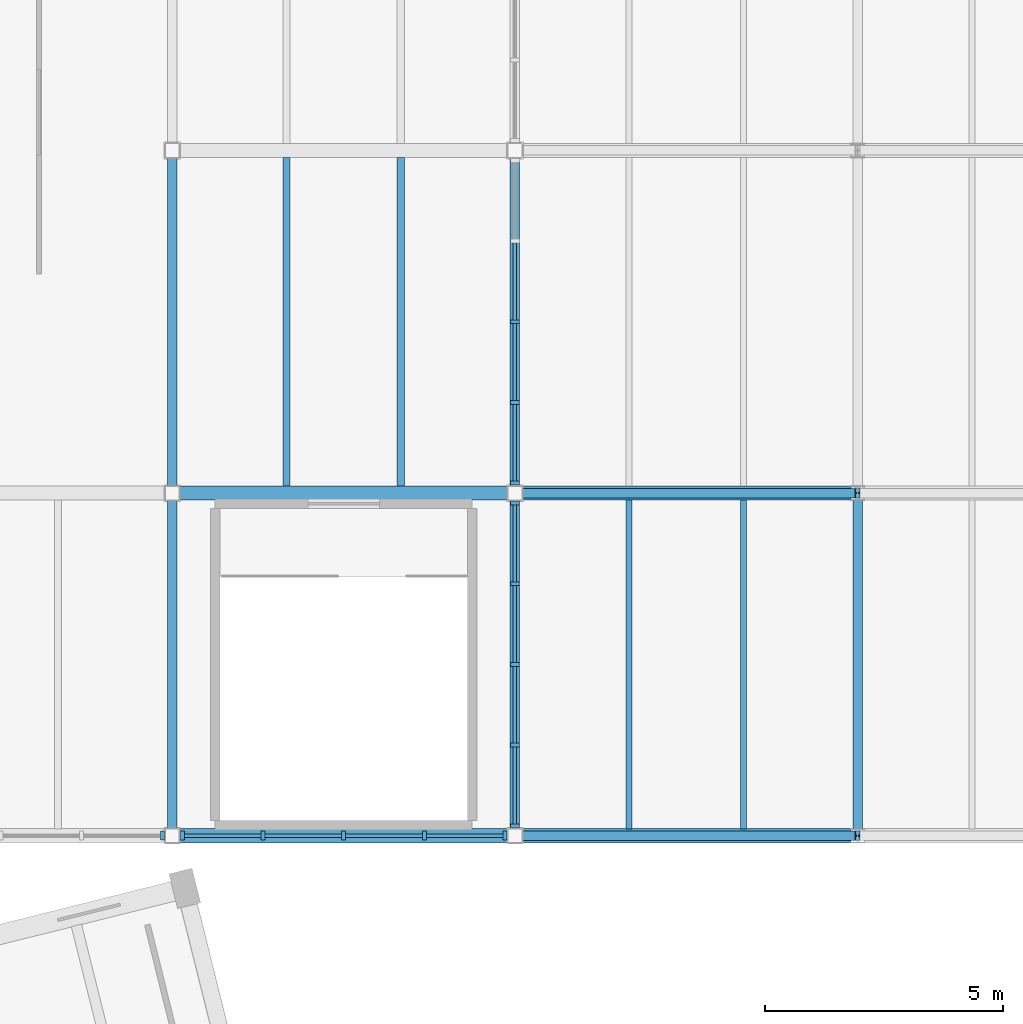
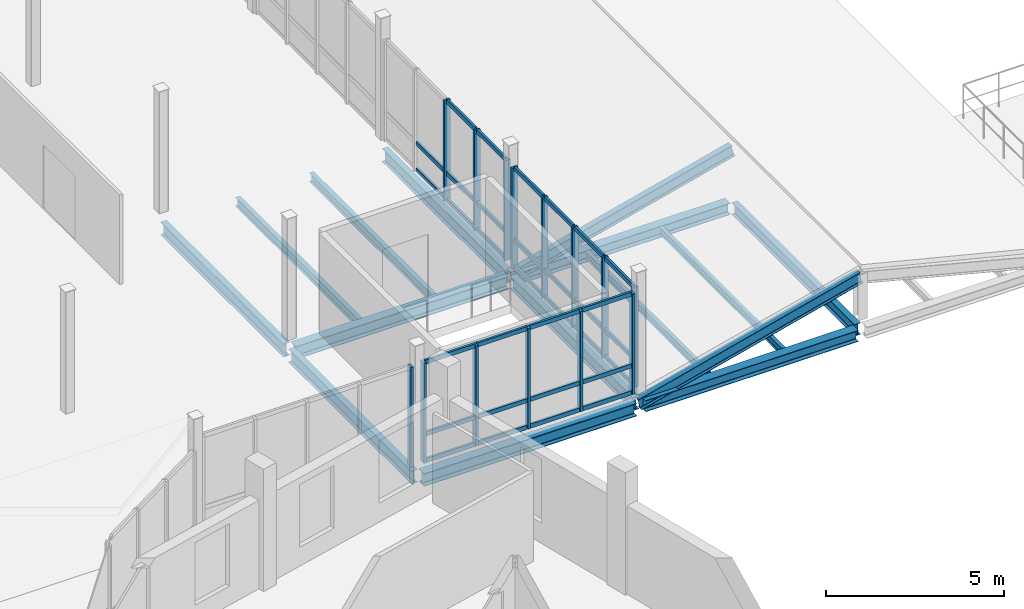
# One storey, part 25 of 63: 48 members, 13 beams, 4 elements without a shape of their own.
"""IFC4 building model written with IfcOpenShell, lengths in metres."""

import ifcopenshell
import ifcopenshell.guid

model = None  # the IFC model being written
_history = None  # IfcOwnerHistory: only IFC2X3 demands one
_inside = {}  # id of a spatial element -> (the spatial element, [elements in it])
_under = {}  # id of a project, library or spatial element -> (it, [spatial elements below it])
_declared = {}  # id of a project -> (the project, [libraries it declares])
_typed = {}  # id of a type object -> (the type object, [elements of that type])
_made_of = {}  # id of a material, layer set ... -> (it, [elements and type objects made of it])


def new_model(schema):
    """Start an empty IFC model of exactly this schema.

    Asked for "IFC4X3", IfcOpenShell would pick the latest addendum, in which some entities
    have other attributes; the version numbers below select the first issue.
    IFC2X3 requires an IfcOwnerHistory on every rooted entity: one is made here for all.
    """
    global model, _history
    if schema == "IFC4X3":
        model = ifcopenshell.file(schema_version=(4, 3, 0, 0))
    else:
        model = ifcopenshell.file(schema=schema)
    _inside.clear()
    _under.clear()
    _declared.clear()
    _typed.clear()
    _made_of.clear()
    _history = None
    if model.schema == "IFC2X3":
        org = make("IfcOrganization", Name="unknown")
        user = make(
            "IfcPersonAndOrganization",
            ThePerson=make("IfcPerson", FamilyName="unknown"),
            TheOrganization=org,
        )
        app = make(
            "IfcApplication",
            ApplicationDeveloper=org,
            Version="unknown",
            ApplicationFullName="unknown",
            ApplicationIdentifier="unknown",
        )
        _history = make(
            "IfcOwnerHistory",
            OwningUser=user,
            OwningApplication=app,
            ChangeAction="ADDED",
            CreationDate=0,
        )
    return model


def make(cls, **values):
    """One entity of the class cls with the attributes given. An attribute that is None is left unset."""
    return model.create_entity(
        cls, **{name: value for name, value in values.items() if value is not None}
    )


def rooted(cls, **values):
    """An entity with a GlobalId (a new one), such as an element, a storey or a relation."""
    return make(cls, GlobalId=ifcopenshell.guid.new(), OwnerHistory=_history, **values)


def si_unit(unit_type, name, prefix=None):
    """IfcSIUnit, for example si_unit("LENGTHUNIT", "METRE", prefix="MILLI")."""
    return make("IfcSIUnit", UnitType=unit_type, Prefix=prefix, Name=name)


def assignment(units):
    """IfcUnitAssignment: the units of a project."""
    return None if units is None else make("IfcUnitAssignment", Units=units)


def point(xyz):
    """IfcCartesianPoint."""
    return None if xyz is None else make("IfcCartesianPoint", Coordinates=xyz)


def direction(xyz):
    """IfcDirection."""
    return None if xyz is None else make("IfcDirection", DirectionRatios=xyz)


def frame(location, z_axis=None, x_axis=None):
    """IfcAxis2Placement3D, a coordinate frame: its origin and axes. An axis left out is left unset."""
    return make(
        "IfcAxis2Placement3D",
        Location=point(location),
        Axis=direction(z_axis),
        RefDirection=direction(x_axis),
    )


def frame_2d(location, x_axis=None):
    """IfcAxis2Placement2D, a coordinate frame in the plane: its origin and x axis."""
    return make(
        "IfcAxis2Placement2D", Location=point(location), RefDirection=direction(x_axis)
    )


def origin():
    """The frame at (0, 0, 0) with its axes left unset."""
    return frame((0.0, 0.0, 0.0))


def origin_2d():
    """The frame at (0, 0) in the plane with its x axis left unset."""
    return frame_2d((0.0, 0.0))


def place(relative_to, where):
    """IfcLocalPlacement: puts the frame where relative to a parent placement (None: the world)."""
    return make(
        "IfcLocalPlacement", PlacementRelTo=relative_to, RelativePlacement=where
    )


def context(
    kind, dimensions, precision=None, world=None, true_north=None, identifier=None
):
    """IfcGeometricRepresentationContext, for example the 3D "Model" context."""
    return make(
        "IfcGeometricRepresentationContext",
        ContextIdentifier=identifier,
        ContextType=kind,
        CoordinateSpaceDimension=dimensions,
        Precision=precision,
        WorldCoordinateSystem=world,
        TrueNorth=true_north,
    )


def subcontext(parent, identifier, kind, view, scale=None):
    """IfcGeometricRepresentationSubContext, for example "Body" below "Model"."""
    return make(
        "IfcGeometricRepresentationSubContext",
        ContextIdentifier=identifier,
        ContextType=kind,
        ParentContext=parent,
        TargetScale=scale,
        TargetView=view,
    )


def project(units=None, contexts=None):
    """IfcProject with its units and contexts."""
    return rooted(
        "IfcProject",
        Name="project",
        RepresentationContexts=contexts,
        UnitsInContext=assignment(units),
    )


def spatial(cls, under=None, at=None, **own):
    """A site, building, storey or space (cls), placed at a placement, below another one or the project."""
    s = rooted(cls, ObjectPlacement=at, **own)
    if under is not None:
        _under.setdefault(under.id(), (under, []))[1].append(s)
    return s


def profile(cls, at=None, kind="AREA", **sizes):
    """A parametric profile (cls). Its sizes go by their IFC names, for example OverallWidth=200.0."""
    return make(cls, ProfileType=kind, Position=at, **sizes)


def rectangle(**sizes):
    """IfcRectangleProfileDef."""
    return profile("IfcRectangleProfileDef", **sizes)


def i_section(**sizes):
    """IfcIShapeProfileDef."""
    return profile("IfcIShapeProfileDef", **sizes)


def extrude(swept, where, along, depth):
    """IfcExtrudedAreaSolid: the profile swept, set in the frame where, extruded along a direction by depth."""
    return make(
        "IfcExtrudedAreaSolid",
        SweptArea=swept,
        Position=where,
        ExtrudedDirection=direction(along),
        Depth=depth,
    )


def shape(context_of_items, identifier, shape_type, items):
    """IfcShapeRepresentation: the items that make up one representation, for example the "Body"."""
    return make(
        "IfcShapeRepresentation",
        ContextOfItems=context_of_items,
        RepresentationIdentifier=identifier,
        RepresentationType=shape_type,
        Items=items,
    )


def material(Name=None, Category=None):
    """IfcMaterial."""
    return make("IfcMaterial", Name=Name, Category=Category)


def material_profile(
    of_material, cross_section, Name=None, Category=None, Priority=None
):
    """IfcMaterialProfile: a cross section and its material."""
    return make(
        "IfcMaterialProfile",
        Name=Name,
        Material=of_material,
        Profile=cross_section,
        Priority=Priority,
        Category=Category,
    )


def profile_set(profiles, Name=None, composite=None):
    """IfcMaterialProfileSet."""
    return make(
        "IfcMaterialProfileSet",
        Name=Name,
        MaterialProfiles=profiles,
        CompositeProfile=composite,
    )


def made_of(thing, what):
    """Note that an element or type object is made of a material, layer set ...; save() writes the relation."""
    if what is not None:
        _made_of.setdefault(what.id(), (what, []))[1].append(thing)
    return thing


def type_object(cls, material=None, **own):
    """A type object (cls), such as IfcWallType, which elements share."""
    return made_of(rooted(cls, **own), material)


def element(
    cls,
    number,
    at=None,
    inside=None,
    cuts=None,
    type_object=None,
    material=None,
    context=None,
    identifier="Body",
    shape_type=None,
    held_by="IfcProductDefinitionShape",
    body=None,
    shapes=None,
    **own,
):
    """One element of the class cls, such as IfcWall. Its Tag is "e" and its number.

    at: its placement. inside: the storey or other place that contains it. cuts: it is an
    opening in that element (IfcRelVoidsElement). A single representation is given by context,
    identifier, shape_type and body (its items); several are given by shapes. held_by: the class
    of the entity that holds the representations. save() writes the other relations.
    """
    e = rooted(cls, Tag="e%d" % number, ObjectPlacement=at, **own)
    if body is not None:
        shapes = [shape(context, identifier, shape_type, body)]
    if shapes is not None:
        e.Representation = make(held_by, Representations=shapes)
    if inside is not None:
        _inside.setdefault(inside.id(), (inside, []))[1].append(e)
    if cuts is not None:
        rooted(
            "IfcRelVoidsElement", RelatingBuildingElement=cuts, RelatedOpeningElement=e
        )
    if type_object is not None:
        _typed.setdefault(type_object.id(), (type_object, []))[1].append(e)
    return made_of(e, material)


def aggregate(whole, parts):
    """IfcRelAggregates: a whole, such as a stair, and the parts it consists of."""
    return rooted("IfcRelAggregates", RelatingObject=whole, RelatedObjects=parts)


def save(model, path):
    """Write the relations noted so far, then the file.

    IfcRelAggregates (storeys below a building ...), IfcRelContainedInSpatialStructure (elements
    in a storey), IfcRelDefinesByType, IfcRelAssociatesMaterial and IfcRelDeclares: one each for
    every whole, place, type object, material and project.
    """
    for whole, parts in _under.values():
        aggregate(whole, parts)
    for where, things in _inside.values():
        rooted(
            "IfcRelContainedInSpatialStructure",
            RelatedElements=things,
            RelatingStructure=where,
        )
    for kind, things in _typed.values():
        rooted("IfcRelDefinesByType", RelatedObjects=things, RelatingType=kind)
    for what, things in _made_of.values():
        rooted("IfcRelAssociatesMaterial", RelatedObjects=things, RelatingMaterial=what)
    for by, libraries in _declared.values():
        rooted("IfcRelDeclares", RelatingContext=by, RelatedDefinitions=libraries)
    model.write(path)


model = new_model("IFC4")

# Units and contexts
model_context = context("Model", 3, precision=1e-05, world=origin(), true_north=direction((0.0, 1.0)))
body_context = subcontext(model_context, "Body", "Model", "MODEL_VIEW")
ifc_project = project(units=[si_unit("LENGTHUNIT", "METRE"), si_unit("AREAUNIT", "SQUARE_METRE"), si_unit("VOLUMEUNIT", "CUBIC_METRE"), si_unit("PLANEANGLEUNIT", "RADIAN"), si_unit("MASSUNIT", "GRAM", prefix="KILO")], contexts=[model_context])

# Site, building, storey
site_placement = place(None, origin())
site = spatial("IfcSite", under=ifc_project, at=site_placement, CompositionType="ELEMENT")
building_placement = place(site_placement, origin())
building = spatial("IfcBuilding", under=site, at=building_placement, Name="Qiaolan Assembly House", CompositionType="ELEMENT")
storey_placement = place(building_placement, frame((0.0, 0.0, 14.39990234375)))
storey = spatial("IfcBuildingStorey", under=building, at=storey_placement, Name="L03", CompositionType="ELEMENT", Elevation=14.39990234375)

# Beams
ifc_material_1 = material(Name="Steel Q355B", Category="steel")
ifc_material_profile_1 = material_profile(ifc_material_1, i_section(OverallWidth=0.300048828125, OverallDepth=0.389892578125, WebThickness=0.010009765625, FlangeThickness=0.01611328125, FilletRadius=0.01806640625, at=origin_2d()), Name="HM 390x300x10x16")
ifc_profile_set_1 = profile_set([ifc_material_profile_1], Name="Steel Q355B")
beam_type_1 = type_object("IfcBeamType", Name="BM-STL-HM390", PredefinedType="BEAM", material=ifc_profile_set_1)
beam_1_placement = place(storey_placement, frame((93.7451171875, 36.0, -0.5048828125), z_axis=(1.0, 0.0, 0.0), x_axis=(0.0, 1.0, 0.0)))
element("IfcBeam", 1, at=beam_1_placement, inside=storey, type_object=beam_type_1, Name="SB-08 beam BMX-HLETR-L03-00-00", PredefinedType="BEAM", context=body_context, shape_type="SweptSolid", body=[
    extrude(i_section(OverallWidth=0.300048828125, OverallDepth=0.389892578125, WebThickness=0.010009765625, FlangeThickness=0.01611328125, FilletRadius=0.01806640625, at=origin_2d()), origin(), (0.0, 0.0, 1.0), 6.914794921875),
])
beam_2_placement = place(storey_placement, frame((93.739990234375, 43.199951171875, -0.5048828125), z_axis=(1.0, 0.0, 0.0), x_axis=(0.0, 1.0, 0.0)))
element("IfcBeam", 2, at=beam_2_placement, inside=storey, type_object=beam_type_1, Name="SB-08 beam BMX-HLETR-L03-00-01", PredefinedType="BEAM", context=body_context, shape_type="SweptSolid", body=[
    extrude(i_section(OverallWidth=0.300048828125, OverallDepth=0.389892578125, WebThickness=0.010009765625, FlangeThickness=0.01611328125, FilletRadius=0.01806640625, at=origin_2d()), origin(), (0.0, 0.0, 1.0), 6.919921875),
])
ifc_material_profile_2 = material_profile(ifc_material_1, i_section(OverallWidth=0.300048828125, OverallDepth=0.43994140625, WebThickness=0.010986328125, FlangeThickness=0.01806640625, FilletRadius=0.02001953125, at=origin_2d()), Name="HM 440x300x11x18")
ifc_profile_set_2 = profile_set([ifc_material_profile_2], Name="Steel Q355B")
beam_type_2 = type_object("IfcBeamType", Name="BM-STL-HM440", PredefinedType="BEAM", material=ifc_profile_set_2)
beam_3_placement = place(storey_placement, frame((86.544921875, 36.0, -0.52001953125), z_axis=(1.0, 0.0, 0.0), x_axis=(0.0, 1.0, 0.0)))
element("IfcBeam", 3, at=beam_3_placement, inside=storey, type_object=beam_type_2, Name="SB-06 beam BMX-HLC-L03-06-00", PredefinedType="BEAM", context=body_context, shape_type="SweptSolid", body=[
    extrude(i_section(OverallWidth=0.300048828125, OverallDepth=0.43994140625, WebThickness=0.010986328125, FlangeThickness=0.01806640625, FilletRadius=0.02001953125, at=origin_2d()), origin(), (0.0, 0.0, 1.0), 6.91015625),
])
beam_4_placement = place(storey_placement, frame((86.5400390625, 43.199951171875, -0.52001953125), z_axis=(1.0, 0.0, 0.0), x_axis=(0.0, 1.0, 0.0)))
element("IfcBeam", 4, at=beam_4_placement, inside=storey, type_object=beam_type_2, Name="SB-06 beam BMX-HLC-L03-06-01", PredefinedType="BEAM", context=body_context, shape_type="SweptSolid", body=[
    extrude(i_section(OverallWidth=0.300048828125, OverallDepth=0.43994140625, WebThickness=0.010986328125, FlangeThickness=0.01806640625, FilletRadius=0.02001953125, at=origin_2d()), origin(), (0.0, 0.0, 1.0), 6.919921875),
])
ifc_material_profile_3 = material_profile(ifc_material_1, i_section(OverallWidth=0.199951171875, OverallDepth=0.39990234375, WebThickness=0.008056640625, FlangeThickness=0.012939453125, FilletRadius=0.01611328125, at=origin_2d()), Name="HN 400x200x8x13")
ifc_profile_set_3 = profile_set([ifc_material_profile_3], Name="Steel Q355B")
beam_type_3 = type_object("IfcBeamType", Name="BM-STL-HN400", PredefinedType="BEAM", material=ifc_profile_set_3)
beam_5_placement = place(storey_placement, frame((100.800048828125, 36.139892578125, -0.510009765625), z_axis=(0.0, 1.0, 0.0), x_axis=(-1.0, 0.0, 0.0)))
element("IfcBeam", 5, at=beam_5_placement, inside=storey, type_object=beam_type_3, Name="SB-09 beam BMY-HLETR-L03-01-00", PredefinedType="BEAM", context=body_context, shape_type="SweptSolid", body=[
    extrude(i_section(OverallWidth=0.199951171875, OverallDepth=0.39990234375, WebThickness=0.008056640625, FlangeThickness=0.012939453125, FilletRadius=0.01611328125, at=origin_2d()), origin(), (0.0, 0.0, 1.0), 6.920166015625),
])
ifc_material_profile_4 = material_profile(ifc_material_1, i_section(OverallWidth=0.199951171875, OverallDepth=0.449951171875, WebThickness=0.009033203125, FlangeThickness=0.013916015625, FilletRadius=0.01611328125, at=origin_2d()), Name="HN 450x200x9x14")
ifc_profile_set_4 = profile_set([ifc_material_profile_4], Name="Steel Q355B")
beam_type_4 = type_object("IfcBeamType", Name="BM-STL-HN450", PredefinedType="BEAM", material=ifc_profile_set_4)
beam_6_placement = place(storey_placement, frame((86.39990234375, 36.14501953125, -0.52490234375), z_axis=(0.0, 1.0, 0.0), x_axis=(-1.0, 0.0, 0.0)))
element("IfcBeam", 6, at=beam_6_placement, inside=storey, type_object=beam_type_4, Name="SB-07 beam BMY-HLC-L03-06-00", PredefinedType="BEAM", context=body_context, shape_type="SweptSolid", body=[
    extrude(i_section(OverallWidth=0.199951171875, OverallDepth=0.449951171875, WebThickness=0.009033203125, FlangeThickness=0.013916015625, FilletRadius=0.01611328125, at=origin_2d()), origin(), (0.0, 0.0, 1.0), 6.9150390625),
])
beam_7_placement = place(storey_placement, frame((86.39990234375, 43.340087890625, -0.52490234375), z_axis=(0.0, 1.0, 0.0), x_axis=(-1.0, 0.0, 0.0)))
element("IfcBeam", 7, at=beam_7_placement, inside=storey, type_object=beam_type_4, Name="SB-07 beam BMY-HLC-L03-06-01", PredefinedType="BEAM", context=body_context, shape_type="SweptSolid", body=[
    extrude(i_section(OverallWidth=0.199951171875, OverallDepth=0.449951171875, WebThickness=0.009033203125, FlangeThickness=0.013916015625, FilletRadius=0.01611328125, at=origin_2d()), origin(), (0.0, 0.0, 1.0), 6.919921875),
])
beam_8_placement = place(storey_placement, frame((93.60009765625, 36.14501953125, -0.52490234375), z_axis=(0.0, 1.0, 0.0), x_axis=(-1.0, 0.0, 0.0)))
element("IfcBeam", 8, at=beam_8_placement, inside=storey, type_object=beam_type_4, Name="SB-07 beam BMY-HLC-L03-07-00", PredefinedType="BEAM", context=body_context, shape_type="SweptSolid", body=[
    extrude(i_section(OverallWidth=0.199951171875, OverallDepth=0.449951171875, WebThickness=0.009033203125, FlangeThickness=0.013916015625, FilletRadius=0.01611328125, at=origin_2d()), origin(), (0.0, 0.0, 1.0), 6.9150390625),
])
beam_9_placement = place(storey_placement, frame((93.60009765625, 43.340087890625, -0.52490234375), z_axis=(0.0, 1.0, 0.0), x_axis=(-1.0, 0.0, 0.0)))
element("IfcBeam", 9, at=beam_9_placement, inside=storey, type_object=beam_type_4, Name="SB-07 beam BMY-HLC-L03-07-01", PredefinedType="BEAM", context=body_context, shape_type="SweptSolid", body=[
    extrude(i_section(OverallWidth=0.199951171875, OverallDepth=0.449951171875, WebThickness=0.009033203125, FlangeThickness=0.013916015625, FilletRadius=0.01611328125, at=origin_2d()), origin(), (0.0, 0.0, 1.0), 6.919921875),
])

# Curtain wall, member
ifc_material_2 = material(Name="Anodised bronze aluminium", Category="aluminium")
curtain_wall_type = type_object("IfcCurtainWallType", Name="CW-HALL-CONC-420", PredefinedType="NOTDEFINED", material=ifc_material_2)
curtain_wall_1_placement = place(storey_placement, origin())
curtain_wall_1 = element("IfcCurtainWall", 10, at=curtain_wall_1_placement, inside=storey, type_object=curtain_wall_type, Name="CW-07 L03 Concourse South CW 6", PredefinedType="NOTDEFINED")
ifc_material_profile_5 = material_profile(ifc_material_2, rectangle(XDim=0.08203125, YDim=0.18994140625, at=origin_2d()), Name="MUL 82x190")
ifc_profile_set_5 = profile_set([ifc_material_profile_5], Name="Anodised bronze aluminium")
member_type_1 = type_object("IfcMemberType", Name="CW-HALL-CONC-420-MUL", PredefinedType="MULLION", material=ifc_profile_set_5)
member_1_placement = place(storey_placement, frame((86.18994140625, 36.0, 0.0), z_axis=(0.0, 0.0, 1.0), x_axis=(1.0, 0.0, 0.0)))
member_1 = element("IfcMember", 11, at=member_1_placement, type_object=member_type_1, Name="ML-03 mullion CW-HLC-S-05-5", PredefinedType="MULLION", context=body_context, shape_type="SweptSolid", body=[
    extrude(rectangle(XDim=0.08203125, YDim=0.18994140625, at=origin_2d()), origin(), (0.0, 0.0, 1.0), 3.4501953125),
])
aggregate(curtain_wall_1, [member_1])

# Curtain wall, members
curtain_wall_2_placement = place(storey_placement, origin())
curtain_wall_2 = element("IfcCurtainWall", 12, at=curtain_wall_2_placement, inside=storey, type_object=curtain_wall_type, Name="CW-07 L03 Concourse South CW 7", PredefinedType="NOTDEFINED")
member_2_placement = place(storey_placement, frame((86.610107421875, 36.0, 0.0), z_axis=(0.0, 0.0, 1.0), x_axis=(1.0, 0.0, 0.0)))
member_2 = element("IfcMember", 13, at=member_2_placement, type_object=member_type_1, Name="ML-03 mullion CW-HLC-S-06-1", PredefinedType="MULLION", context=body_context, shape_type="SweptSolid", body=[
    extrude(rectangle(XDim=0.08203125, YDim=0.18994140625, at=origin_2d()), origin(), (0.0, 0.0, 1.0), 3.4501953125),
])
member_3_placement = place(storey_placement, frame((88.304931640625, 36.0, 0.0), z_axis=(0.0, 0.0, 1.0), x_axis=(1.0, 0.0, 0.0)))
member_3 = element("IfcMember", 14, at=member_3_placement, type_object=member_type_1, Name="ML-03 mullion CW-HLC-S-06-2", PredefinedType="MULLION", context=body_context, shape_type="SweptSolid", body=[
    extrude(rectangle(XDim=0.08203125, YDim=0.18994140625, at=origin_2d()), origin(), (0.0, 0.0, 1.0), 3.4501953125),
])
member_4_placement = place(storey_placement, frame((90.0, 36.0, 0.0), z_axis=(0.0, 0.0, 1.0), x_axis=(1.0, 0.0, 0.0)))
member_4 = element("IfcMember", 15, at=member_4_placement, type_object=member_type_1, Name="ML-03 mullion CW-HLC-S-06-3", PredefinedType="MULLION", context=body_context, shape_type="SweptSolid", body=[
    extrude(rectangle(XDim=0.08203125, YDim=0.18994140625, at=origin_2d()), origin(), (0.0, 0.0, 1.0), 3.4501953125),
])
member_5_placement = place(storey_placement, frame((91.695068359375, 36.0, 0.0), z_axis=(0.0, 0.0, 1.0), x_axis=(1.0, 0.0, 0.0)))
member_5 = element("IfcMember", 16, at=member_5_placement, type_object=member_type_1, Name="ML-03 mullion CW-HLC-S-06-4", PredefinedType="MULLION", context=body_context, shape_type="SweptSolid", body=[
    extrude(rectangle(XDim=0.08203125, YDim=0.18994140625, at=origin_2d()), origin(), (0.0, 0.0, 1.0), 3.4501953125),
])
member_6_placement = place(storey_placement, frame((93.389892578125, 36.0, 0.0), z_axis=(0.0, 0.0, 1.0), x_axis=(1.0, 0.0, 0.0)))
member_6 = element("IfcMember", 17, at=member_6_placement, type_object=member_type_1, Name="ML-03 mullion CW-HLC-S-06-5", PredefinedType="MULLION", context=body_context, shape_type="SweptSolid", body=[
    extrude(rectangle(XDim=0.08203125, YDim=0.18994140625, at=origin_2d()), origin(), (0.0, 0.0, 1.0), 3.4501953125),
])

curtain_wall_3_placement = place(storey_placement, origin())
curtain_wall_3 = element("IfcCurtainWall", 18, at=curtain_wall_3_placement, inside=storey, type_object=curtain_wall_type, Name="CW-07 L03 Concourse East CW 1", PredefinedType="NOTDEFINED")
member_7_placement = place(storey_placement, frame((93.60009765625, 42.989990234375, 0.0), z_axis=(0.0, 0.0, 1.0), x_axis=(0.0, -1.0, 0.0)))
member_7 = element("IfcMember", 19, at=member_7_placement, type_object=member_type_1, Name="ML-03 mullion CW-HLC-E-00-1", PredefinedType="MULLION", context=body_context, shape_type="SweptSolid", body=[
    extrude(rectangle(XDim=0.08203125, YDim=0.18994140625, at=origin_2d()), origin(), (0.0, 0.0, 1.0), 3.4501953125),
])
member_8_placement = place(storey_placement, frame((93.60009765625, 41.294921875, 0.0), z_axis=(0.0, 0.0, 1.0), x_axis=(0.0, -1.0, 0.0)))
member_8 = element("IfcMember", 20, at=member_8_placement, type_object=member_type_1, Name="ML-03 mullion CW-HLC-E-00-2", PredefinedType="MULLION", context=body_context, shape_type="SweptSolid", body=[
    extrude(rectangle(XDim=0.08203125, YDim=0.18994140625, at=origin_2d()), origin(), (0.0, 0.0, 1.0), 3.4501953125),
])
member_9_placement = place(storey_placement, frame((93.60009765625, 39.60009765625, 0.0), z_axis=(0.0, 0.0, 1.0), x_axis=(0.0, -1.0, 0.0)))
member_9 = element("IfcMember", 21, at=member_9_placement, type_object=member_type_1, Name="ML-03 mullion CW-HLC-E-00-3", PredefinedType="MULLION", context=body_context, shape_type="SweptSolid", body=[
    extrude(rectangle(XDim=0.08203125, YDim=0.18994140625, at=origin_2d()), origin(), (0.0, 0.0, 1.0), 3.4501953125),
])
member_10_placement = place(storey_placement, frame((93.60009765625, 37.905029296875, 0.0), z_axis=(0.0, 0.0, 1.0), x_axis=(0.0, -1.0, 0.0)))
member_10 = element("IfcMember", 22, at=member_10_placement, type_object=member_type_1, Name="ML-03 mullion CW-HLC-E-00-4", PredefinedType="MULLION", context=body_context, shape_type="SweptSolid", body=[
    extrude(rectangle(XDim=0.08203125, YDim=0.18994140625, at=origin_2d()), origin(), (0.0, 0.0, 1.0), 3.4501953125),
])
member_11_placement = place(storey_placement, frame((93.60009765625, 36.2099609375, 0.0), z_axis=(0.0, 0.0, 1.0), x_axis=(0.0, -1.0, 0.0)))
member_11 = element("IfcMember", 23, at=member_11_placement, type_object=member_type_1, Name="ML-03 mullion CW-HLC-E-00-5", PredefinedType="MULLION", context=body_context, shape_type="SweptSolid", body=[
    extrude(rectangle(XDim=0.08203125, YDim=0.18994140625, at=origin_2d()), origin(), (0.0, 0.0, 1.0), 3.4501953125),
])

curtain_wall_4_placement = place(storey_placement, origin())
curtain_wall_4 = element("IfcCurtainWall", 24, at=curtain_wall_4_placement, inside=storey, type_object=curtain_wall_type, Name="CW-07 L03 Concourse East CW 2", PredefinedType="NOTDEFINED")
member_12_placement = place(storey_placement, frame((93.60009765625, 46.800048828125, 0.0), z_axis=(0.0, 0.0, 1.0), x_axis=(0.0, -1.0, 0.0)))
member_12 = element("IfcMember", 25, at=member_12_placement, type_object=member_type_1, Name="ML-03 mullion CW-HLC-E-01-3", PredefinedType="MULLION", context=body_context, shape_type="SweptSolid", body=[
    extrude(rectangle(XDim=0.08203125, YDim=0.18994140625, at=origin_2d()), origin(), (0.0, 0.0, 1.0), 3.4501953125),
])
member_13_placement = place(storey_placement, frame((93.60009765625, 45.10498046875, 0.0), z_axis=(0.0, 0.0, 1.0), x_axis=(0.0, -1.0, 0.0)))
member_13 = element("IfcMember", 26, at=member_13_placement, type_object=member_type_1, Name="ML-03 mullion CW-HLC-E-01-4", PredefinedType="MULLION", context=body_context, shape_type="SweptSolid", body=[
    extrude(rectangle(XDim=0.08203125, YDim=0.18994140625, at=origin_2d()), origin(), (0.0, 0.0, 1.0), 3.4501953125),
])
member_14_placement = place(storey_placement, frame((93.60009765625, 43.409912109375, 0.0), z_axis=(0.0, 0.0, 1.0), x_axis=(0.0, -1.0, 0.0)))
member_14 = element("IfcMember", 27, at=member_14_placement, type_object=member_type_1, Name="ML-03 mullion CW-HLC-E-01-5", PredefinedType="MULLION", context=body_context, shape_type="SweptSolid", body=[
    extrude(rectangle(XDim=0.08203125, YDim=0.18994140625, at=origin_2d()), origin(), (0.0, 0.0, 1.0), 3.4501953125),
])

# Member
ifc_material_profile_6 = material_profile(ifc_material_2, rectangle(XDim=0.072021484375, YDim=0.14501953125, at=origin_2d()), Name="TRN 72x145")
ifc_profile_set_6 = profile_set([ifc_material_profile_6], Name="Anodised bronze aluminium")
member_type_2 = type_object("IfcMemberType", Name="CW-HALL-CONC-420-TRN", PredefinedType="USERDEFINED", material=ifc_profile_set_6)
member_15_placement = place(storey_placement, frame((86.65087890625, 36.0, 0.030029296875), z_axis=(1.0, 0.0, 0.0), x_axis=(0.0, 1.0, 0.0)))
member_15 = element("IfcMember", 28, at=member_15_placement, type_object=member_type_2, Name="TR-03 transom CW-HLC-S-06-1-1", ObjectType="TRANSOM", PredefinedType="USERDEFINED", context=body_context, shape_type="SweptSolid", body=[
    extrude(rectangle(XDim=0.072021484375, YDim=0.14501953125, at=origin_2d()), origin(), (0.0, 0.0, 1.0), 1.613037109375),
])

member_16_placement = place(storey_placement, frame((86.65087890625, 36.0, 0.9501953125), z_axis=(1.0, 0.0, 0.0), x_axis=(0.0, 1.0, 0.0)))
member_16 = element("IfcMember", 29, at=member_16_placement, type_object=member_type_2, Name="TR-03 transom CW-HLC-S-06-1-2", ObjectType="TRANSOM", PredefinedType="USERDEFINED", context=body_context, shape_type="SweptSolid", body=[
    extrude(rectangle(XDim=0.072021484375, YDim=0.14501953125, at=origin_2d()), origin(), (0.0, 0.0, 1.0), 1.613037109375),
])

member_17_placement = place(storey_placement, frame((86.65087890625, 36.0, 3.420166015625), z_axis=(1.0, 0.0, 0.0), x_axis=(0.0, 1.0, 0.0)))
member_17 = element("IfcMember", 30, at=member_17_placement, type_object=member_type_2, Name="TR-03 transom CW-HLC-S-06-1-3", ObjectType="TRANSOM", PredefinedType="USERDEFINED", context=body_context, shape_type="SweptSolid", body=[
    extrude(rectangle(XDim=0.072021484375, YDim=0.14501953125, at=origin_2d()), origin(), (0.0, 0.0, 1.0), 1.613037109375),
])

member_18_placement = place(storey_placement, frame((88.345947265625, 36.0, 0.030029296875), z_axis=(1.0, 0.0, 0.0), x_axis=(0.0, 1.0, 0.0)))
member_18 = element("IfcMember", 31, at=member_18_placement, type_object=member_type_2, Name="TR-03 transom CW-HLC-S-06-2-1", ObjectType="TRANSOM", PredefinedType="USERDEFINED", context=body_context, shape_type="SweptSolid", body=[
    extrude(rectangle(XDim=0.072021484375, YDim=0.14501953125, at=origin_2d()), origin(), (0.0, 0.0, 1.0), 1.613037109375),
])

member_19_placement = place(storey_placement, frame((88.345947265625, 36.0, 0.9501953125), z_axis=(1.0, 0.0, 0.0), x_axis=(0.0, 1.0, 0.0)))
member_19 = element("IfcMember", 32, at=member_19_placement, type_object=member_type_2, Name="TR-03 transom CW-HLC-S-06-2-2", ObjectType="TRANSOM", PredefinedType="USERDEFINED", context=body_context, shape_type="SweptSolid", body=[
    extrude(rectangle(XDim=0.072021484375, YDim=0.14501953125, at=origin_2d()), origin(), (0.0, 0.0, 1.0), 1.613037109375),
])

member_20_placement = place(storey_placement, frame((88.345947265625, 36.0, 3.420166015625), z_axis=(1.0, 0.0, 0.0), x_axis=(0.0, 1.0, 0.0)))
member_20 = element("IfcMember", 33, at=member_20_placement, type_object=member_type_2, Name="TR-03 transom CW-HLC-S-06-2-3", ObjectType="TRANSOM", PredefinedType="USERDEFINED", context=body_context, shape_type="SweptSolid", body=[
    extrude(rectangle(XDim=0.072021484375, YDim=0.14501953125, at=origin_2d()), origin(), (0.0, 0.0, 1.0), 1.613037109375),
])

member_21_placement = place(storey_placement, frame((90.041015625, 36.0, 0.030029296875), z_axis=(1.0, 0.0, 0.0), x_axis=(0.0, 1.0, 0.0)))
member_21 = element("IfcMember", 34, at=member_21_placement, type_object=member_type_2, Name="TR-03 transom CW-HLC-S-06-3-1", ObjectType="TRANSOM", PredefinedType="USERDEFINED", context=body_context, shape_type="SweptSolid", body=[
    extrude(rectangle(XDim=0.072021484375, YDim=0.14501953125, at=origin_2d()), origin(), (0.0, 0.0, 1.0), 1.613037109375),
])

member_22_placement = place(storey_placement, frame((90.041015625, 36.0, 0.9501953125), z_axis=(1.0, 0.0, 0.0), x_axis=(0.0, 1.0, 0.0)))
member_22 = element("IfcMember", 35, at=member_22_placement, type_object=member_type_2, Name="TR-03 transom CW-HLC-S-06-3-2", ObjectType="TRANSOM", PredefinedType="USERDEFINED", context=body_context, shape_type="SweptSolid", body=[
    extrude(rectangle(XDim=0.072021484375, YDim=0.14501953125, at=origin_2d()), origin(), (0.0, 0.0, 1.0), 1.613037109375),
])

member_23_placement = place(storey_placement, frame((90.041015625, 36.0, 3.420166015625), z_axis=(1.0, 0.0, 0.0), x_axis=(0.0, 1.0, 0.0)))
member_23 = element("IfcMember", 36, at=member_23_placement, type_object=member_type_2, Name="TR-03 transom CW-HLC-S-06-3-3", ObjectType="TRANSOM", PredefinedType="USERDEFINED", context=body_context, shape_type="SweptSolid", body=[
    extrude(rectangle(XDim=0.072021484375, YDim=0.14501953125, at=origin_2d()), origin(), (0.0, 0.0, 1.0), 1.613037109375),
])

member_24_placement = place(storey_placement, frame((91.736083984375, 36.0, 0.030029296875), z_axis=(1.0, 0.0, 0.0), x_axis=(0.0, 1.0, 0.0)))
member_24 = element("IfcMember", 37, at=member_24_placement, type_object=member_type_2, Name="TR-03 transom CW-HLC-S-06-4-1", ObjectType="TRANSOM", PredefinedType="USERDEFINED", context=body_context, shape_type="SweptSolid", body=[
    extrude(rectangle(XDim=0.072021484375, YDim=0.14501953125, at=origin_2d()), origin(), (0.0, 0.0, 1.0), 1.613037109375),
])

member_25_placement = place(storey_placement, frame((91.736083984375, 36.0, 0.9501953125), z_axis=(1.0, 0.0, 0.0), x_axis=(0.0, 1.0, 0.0)))
member_25 = element("IfcMember", 38, at=member_25_placement, type_object=member_type_2, Name="TR-03 transom CW-HLC-S-06-4-2", ObjectType="TRANSOM", PredefinedType="USERDEFINED", context=body_context, shape_type="SweptSolid", body=[
    extrude(rectangle(XDim=0.072021484375, YDim=0.14501953125, at=origin_2d()), origin(), (0.0, 0.0, 1.0), 1.613037109375),
])

member_26_placement = place(storey_placement, frame((91.736083984375, 36.0, 3.420166015625), z_axis=(1.0, 0.0, 0.0), x_axis=(0.0, 1.0, 0.0)))
member_26 = element("IfcMember", 39, at=member_26_placement, type_object=member_type_2, Name="TR-03 transom CW-HLC-S-06-4-3", ObjectType="TRANSOM", PredefinedType="USERDEFINED", context=body_context, shape_type="SweptSolid", body=[
    extrude(rectangle(XDim=0.072021484375, YDim=0.14501953125, at=origin_2d()), origin(), (0.0, 0.0, 1.0), 1.613037109375),
])

aggregate(curtain_wall_2, [member_2, member_3, member_4, member_5, member_6, member_15, member_16, member_17, member_18, member_19, member_20, member_21, member_22, member_23, member_24, member_25, member_26])

member_27_placement = place(storey_placement, frame((93.60009765625, 42.948974609375, 0.030029296875), z_axis=(0.0, -1.0, 0.0), x_axis=(1.0, 0.0, 0.0)))
member_27 = element("IfcMember", 40, at=member_27_placement, type_object=member_type_2, Name="TR-03 transom CW-HLC-E-00-1-1", ObjectType="TRANSOM", PredefinedType="USERDEFINED", context=body_context, shape_type="SweptSolid", body=[
    extrude(rectangle(XDim=0.072021484375, YDim=0.14501953125, at=origin_2d()), origin(), (0.0, 0.0, 1.0), 1.613037109375),
])

member_28_placement = place(storey_placement, frame((93.60009765625, 42.948974609375, 0.9501953125), z_axis=(0.0, -1.0, 0.0), x_axis=(1.0, 0.0, 0.0)))
member_28 = element("IfcMember", 41, at=member_28_placement, type_object=member_type_2, Name="TR-03 transom CW-HLC-E-00-1-2", ObjectType="TRANSOM", PredefinedType="USERDEFINED", context=body_context, shape_type="SweptSolid", body=[
    extrude(rectangle(XDim=0.072021484375, YDim=0.14501953125, at=origin_2d()), origin(), (0.0, 0.0, 1.0), 1.613037109375),
])

member_29_placement = place(storey_placement, frame((93.60009765625, 42.948974609375, 3.420166015625), z_axis=(0.0, -1.0, 0.0), x_axis=(1.0, 0.0, 0.0)))
member_29 = element("IfcMember", 42, at=member_29_placement, type_object=member_type_2, Name="TR-03 transom CW-HLC-E-00-1-3", ObjectType="TRANSOM", PredefinedType="USERDEFINED", context=body_context, shape_type="SweptSolid", body=[
    extrude(rectangle(XDim=0.072021484375, YDim=0.14501953125, at=origin_2d()), origin(), (0.0, 0.0, 1.0), 1.613037109375),
])

member_30_placement = place(storey_placement, frame((93.60009765625, 41.25390625, 0.030029296875), z_axis=(0.0, -1.0, 0.0), x_axis=(1.0, 0.0, 0.0)))
member_30 = element("IfcMember", 43, at=member_30_placement, type_object=member_type_2, Name="TR-03 transom CW-HLC-E-00-2-1", ObjectType="TRANSOM", PredefinedType="USERDEFINED", context=body_context, shape_type="SweptSolid", body=[
    extrude(rectangle(XDim=0.072021484375, YDim=0.14501953125, at=origin_2d()), origin(), (0.0, 0.0, 1.0), 1.61279296875),
])

member_31_placement = place(storey_placement, frame((93.60009765625, 41.25390625, 0.9501953125), z_axis=(0.0, -1.0, 0.0), x_axis=(1.0, 0.0, 0.0)))
member_31 = element("IfcMember", 44, at=member_31_placement, type_object=member_type_2, Name="TR-03 transom CW-HLC-E-00-2-2", ObjectType="TRANSOM", PredefinedType="USERDEFINED", context=body_context, shape_type="SweptSolid", body=[
    extrude(rectangle(XDim=0.072021484375, YDim=0.14501953125, at=origin_2d()), origin(), (0.0, 0.0, 1.0), 1.61279296875),
])

member_32_placement = place(storey_placement, frame((93.60009765625, 41.25390625, 3.420166015625), z_axis=(0.0, -1.0, 0.0), x_axis=(1.0, 0.0, 0.0)))
member_32 = element("IfcMember", 45, at=member_32_placement, type_object=member_type_2, Name="TR-03 transom CW-HLC-E-00-2-3", ObjectType="TRANSOM", PredefinedType="USERDEFINED", context=body_context, shape_type="SweptSolid", body=[
    extrude(rectangle(XDim=0.072021484375, YDim=0.14501953125, at=origin_2d()), origin(), (0.0, 0.0, 1.0), 1.61279296875),
])

member_33_placement = place(storey_placement, frame((93.60009765625, 39.55908203125, 0.030029296875), z_axis=(0.0, -1.0, 0.0), x_axis=(1.0, 0.0, 0.0)))
member_33 = element("IfcMember", 46, at=member_33_placement, type_object=member_type_2, Name="TR-03 transom CW-HLC-E-00-3-1", ObjectType="TRANSOM", PredefinedType="USERDEFINED", context=body_context, shape_type="SweptSolid", body=[
    extrude(rectangle(XDim=0.072021484375, YDim=0.14501953125, at=origin_2d()), origin(), (0.0, 0.0, 1.0), 1.613037109375),
])

member_34_placement = place(storey_placement, frame((93.60009765625, 39.55908203125, 0.9501953125), z_axis=(0.0, -1.0, 0.0), x_axis=(1.0, 0.0, 0.0)))
member_34 = element("IfcMember", 47, at=member_34_placement, type_object=member_type_2, Name="TR-03 transom CW-HLC-E-00-3-2", ObjectType="TRANSOM", PredefinedType="USERDEFINED", context=body_context, shape_type="SweptSolid", body=[
    extrude(rectangle(XDim=0.072021484375, YDim=0.14501953125, at=origin_2d()), origin(), (0.0, 0.0, 1.0), 1.613037109375),
])

member_35_placement = place(storey_placement, frame((93.60009765625, 39.55908203125, 3.420166015625), z_axis=(0.0, -1.0, 0.0), x_axis=(1.0, 0.0, 0.0)))
member_35 = element("IfcMember", 48, at=member_35_placement, type_object=member_type_2, Name="TR-03 transom CW-HLC-E-00-3-3", ObjectType="TRANSOM", PredefinedType="USERDEFINED", context=body_context, shape_type="SweptSolid", body=[
    extrude(rectangle(XDim=0.072021484375, YDim=0.14501953125, at=origin_2d()), origin(), (0.0, 0.0, 1.0), 1.613037109375),
])

member_36_placement = place(storey_placement, frame((93.60009765625, 37.864013671875, 0.030029296875), z_axis=(0.0, -1.0, 0.0), x_axis=(1.0, 0.0, 0.0)))
member_36 = element("IfcMember", 49, at=member_36_placement, type_object=member_type_2, Name="TR-03 transom CW-HLC-E-00-4-1", ObjectType="TRANSOM", PredefinedType="USERDEFINED", context=body_context, shape_type="SweptSolid", body=[
    extrude(rectangle(XDim=0.072021484375, YDim=0.14501953125, at=origin_2d()), origin(), (0.0, 0.0, 1.0), 1.613037109375),
])

member_37_placement = place(storey_placement, frame((93.60009765625, 37.864013671875, 0.9501953125), z_axis=(0.0, -1.0, 0.0), x_axis=(1.0, 0.0, 0.0)))
member_37 = element("IfcMember", 50, at=member_37_placement, type_object=member_type_2, Name="TR-03 transom CW-HLC-E-00-4-2", ObjectType="TRANSOM", PredefinedType="USERDEFINED", context=body_context, shape_type="SweptSolid", body=[
    extrude(rectangle(XDim=0.072021484375, YDim=0.14501953125, at=origin_2d()), origin(), (0.0, 0.0, 1.0), 1.613037109375),
])

member_38_placement = place(storey_placement, frame((93.60009765625, 37.864013671875, 3.420166015625), z_axis=(0.0, -1.0, 0.0), x_axis=(1.0, 0.0, 0.0)))
member_38 = element("IfcMember", 51, at=member_38_placement, type_object=member_type_2, Name="TR-03 transom CW-HLC-E-00-4-3", ObjectType="TRANSOM", PredefinedType="USERDEFINED", context=body_context, shape_type="SweptSolid", body=[
    extrude(rectangle(XDim=0.072021484375, YDim=0.14501953125, at=origin_2d()), origin(), (0.0, 0.0, 1.0), 1.613037109375),
])

aggregate(curtain_wall_3, [member_7, member_8, member_9, member_10, member_11, member_27, member_28, member_29, member_30, member_31, member_32, member_33, member_34, member_35, member_36, member_37, member_38])

member_39_placement = place(storey_placement, frame((93.60009765625, 48.4541015625, 0.030029296875), z_axis=(0.0, -1.0, 0.0), x_axis=(1.0, 0.0, 0.0)))
member_39 = element("IfcMember", 52, at=member_39_placement, type_object=member_type_2, Name="TR-03 transom CW-HLC-E-01-2-1", ObjectType="TRANSOM", PredefinedType="USERDEFINED", context=body_context, shape_type="SweptSolid", body=[
    extrude(rectangle(XDim=0.072021484375, YDim=0.14501953125, at=origin_2d()), origin(), (0.0, 0.0, 1.0), 1.613037109375),
])

member_40_placement = place(storey_placement, frame((93.60009765625, 48.4541015625, 0.9501953125), z_axis=(0.0, -1.0, 0.0), x_axis=(1.0, 0.0, 0.0)))
member_40 = element("IfcMember", 53, at=member_40_placement, type_object=member_type_2, Name="TR-03 transom CW-HLC-E-01-2-2", ObjectType="TRANSOM", PredefinedType="USERDEFINED", context=body_context, shape_type="SweptSolid", body=[
    extrude(rectangle(XDim=0.072021484375, YDim=0.14501953125, at=origin_2d()), origin(), (0.0, 0.0, 1.0), 1.613037109375),
])

member_41_placement = place(storey_placement, frame((93.60009765625, 46.759033203125, 0.030029296875), z_axis=(0.0, -1.0, 0.0), x_axis=(1.0, 0.0, 0.0)))
member_41 = element("IfcMember", 54, at=member_41_placement, type_object=member_type_2, Name="TR-03 transom CW-HLC-E-01-3-1", ObjectType="TRANSOM", PredefinedType="USERDEFINED", context=body_context, shape_type="SweptSolid", body=[
    extrude(rectangle(XDim=0.072021484375, YDim=0.14501953125, at=origin_2d()), origin(), (0.0, 0.0, 1.0), 1.613037109375),
])

member_42_placement = place(storey_placement, frame((93.60009765625, 46.759033203125, 0.9501953125), z_axis=(0.0, -1.0, 0.0), x_axis=(1.0, 0.0, 0.0)))
member_42 = element("IfcMember", 55, at=member_42_placement, type_object=member_type_2, Name="TR-03 transom CW-HLC-E-01-3-2", ObjectType="TRANSOM", PredefinedType="USERDEFINED", context=body_context, shape_type="SweptSolid", body=[
    extrude(rectangle(XDim=0.072021484375, YDim=0.14501953125, at=origin_2d()), origin(), (0.0, 0.0, 1.0), 1.613037109375),
])

member_43_placement = place(storey_placement, frame((93.60009765625, 46.759033203125, 3.420166015625), z_axis=(0.0, -1.0, 0.0), x_axis=(1.0, 0.0, 0.0)))
member_43 = element("IfcMember", 56, at=member_43_placement, type_object=member_type_2, Name="TR-03 transom CW-HLC-E-01-3-3", ObjectType="TRANSOM", PredefinedType="USERDEFINED", context=body_context, shape_type="SweptSolid", body=[
    extrude(rectangle(XDim=0.072021484375, YDim=0.14501953125, at=origin_2d()), origin(), (0.0, 0.0, 1.0), 1.613037109375),
])

member_44_placement = place(storey_placement, frame((93.60009765625, 45.06396484375, 0.030029296875), z_axis=(0.0, -1.0, 0.0), x_axis=(1.0, 0.0, 0.0)))
member_44 = element("IfcMember", 57, at=member_44_placement, type_object=member_type_2, Name="TR-03 transom CW-HLC-E-01-4-1", ObjectType="TRANSOM", PredefinedType="USERDEFINED", context=body_context, shape_type="SweptSolid", body=[
    extrude(rectangle(XDim=0.072021484375, YDim=0.14501953125, at=origin_2d()), origin(), (0.0, 0.0, 1.0), 1.613037109375),
])

member_45_placement = place(storey_placement, frame((93.60009765625, 45.06396484375, 0.9501953125), z_axis=(0.0, -1.0, 0.0), x_axis=(1.0, 0.0, 0.0)))
member_45 = element("IfcMember", 58, at=member_45_placement, type_object=member_type_2, Name="TR-03 transom CW-HLC-E-01-4-2", ObjectType="TRANSOM", PredefinedType="USERDEFINED", context=body_context, shape_type="SweptSolid", body=[
    extrude(rectangle(XDim=0.072021484375, YDim=0.14501953125, at=origin_2d()), origin(), (0.0, 0.0, 1.0), 1.613037109375),
])

member_46_placement = place(storey_placement, frame((93.60009765625, 45.06396484375, 3.420166015625), z_axis=(0.0, -1.0, 0.0), x_axis=(1.0, 0.0, 0.0)))
member_46 = element("IfcMember", 59, at=member_46_placement, type_object=member_type_2, Name="TR-03 transom CW-HLC-E-01-4-3", ObjectType="TRANSOM", PredefinedType="USERDEFINED", context=body_context, shape_type="SweptSolid", body=[
    extrude(rectangle(XDim=0.072021484375, YDim=0.14501953125, at=origin_2d()), origin(), (0.0, 0.0, 1.0), 1.613037109375),
])

aggregate(curtain_wall_4, [member_12, member_13, member_14, member_39, member_40, member_41, member_42, member_43, member_44, member_45, member_46])

# Beams
ifc_material_profile_7 = material_profile(ifc_material_1, i_section(OverallWidth=0.125, OverallDepth=0.25, WebThickness=0.006103515625, FlangeThickness=0.009033203125, FilletRadius=0.011962890625, at=origin_2d()), Name="HN 250x125x6x9")
ifc_profile_set_7 = profile_set([ifc_material_profile_7], Name="Steel Q355B")
beam_type_5 = type_object("IfcBeamType", Name="JST-STL-HN250", PredefinedType="JOIST", material=ifc_profile_set_7)
for number, where, z_axis, x_axis, name in (
    (60, (96.0, 36.14404296875, -0.434814453125), (0.0, 1.0, 0.0), (-1.0, 0.0, 0.0), "SJ-03 beam JST-HLETR-L03-00-00-1"),
    (61, (98.39990234375, 36.14404296875, -0.434814453125), (0.0, 1.0, 0.0), (-1.0, 0.0, 0.0), "SJ-03 beam JST-HLETR-L03-00-00-2"),
):
    element("IfcBeam", number, at=place(storey_placement, frame(where, z_axis=z_axis, x_axis=x_axis)), inside=storey, type_object=beam_type_5, Name=name, PredefinedType="JOIST", context=body_context, shape_type="SweptSolid", body=[
        extrude(i_section(OverallWidth=0.125, OverallDepth=0.25, WebThickness=0.006103515625, FlangeThickness=0.009033203125, FilletRadius=0.011962890625, at=origin_2d()), origin(), (0.0, 0.0, 1.0), 6.911865234375),
    ])
ifc_material_profile_8 = material_profile(ifc_material_1, i_section(OverallWidth=0.14990234375, OverallDepth=0.300048828125, WebThickness=0.006591796875, FlangeThickness=0.009033203125, FilletRadius=0.012939453125, at=origin_2d()), Name="HN 300x150x6.5x9")
ifc_profile_set_8 = profile_set([ifc_material_profile_8], Name="Steel Q355B")
beam_type_6 = type_object("IfcBeamType", Name="JST-STL-HN300", PredefinedType="JOIST", material=ifc_profile_set_8)
for number, where, z_axis, x_axis, name in (
    (62, (88.800048828125, 43.343994140625, -0.449951171875), (0.0, 1.0, 0.0), (-1.0, 0.0, 0.0), "SJ-02 beam JST-HLC-L03-06-01-1"),
    (63, (91.199951171875, 43.343994140625, -0.449951171875), (0.0, 1.0, 0.0), (-1.0, 0.0, 0.0), "SJ-02 beam JST-HLC-L03-06-01-2"),
):
    element("IfcBeam", number, at=place(storey_placement, frame(where, z_axis=z_axis, x_axis=x_axis)), inside=storey, type_object=beam_type_6, Name=name, PredefinedType="JOIST", context=body_context, shape_type="SweptSolid", body=[
        extrude(i_section(OverallWidth=0.14990234375, OverallDepth=0.300048828125, WebThickness=0.006591796875, FlangeThickness=0.009033203125, FilletRadius=0.012939453125, at=origin_2d()), origin(), (0.0, 0.0, 1.0), 6.912109375),
    ])

# Members
ifc_material_profile_9 = material_profile(ifc_material_1, i_section(OverallWidth=0.199951171875, OverallDepth=0.39990234375, WebThickness=0.008056640625, FlangeThickness=0.012939453125, FilletRadius=0.01611328125, at=origin_2d()), Name="HN 400x200x8x13-RF")
ifc_profile_set_9 = profile_set([ifc_material_profile_9], Name="Steel Q355B")
member_type_3 = type_object("IfcMemberType", Name="MBR-HALL-RAFTER-HN400", PredefinedType="RAFTER", material=ifc_profile_set_9)
for number, where, z_axis, x_axis, name in (
    (64, (93.60009765625, 36.0, -0.4296875), (0.968693848933, 0.0, 0.248258387652), (0.0, 1.0, 0.0), "RF-02 hall skylight rafter EW-36"),
    (65, (93.60009765625, 43.199951171875, -0.4296875), (0.968693848933, 0.0, 0.248258387652), (0.0, 1.0, 0.0), "RF-02 hall skylight rafter EW-43"),
):
    element("IfcMember", number, at=place(storey_placement, frame(where, z_axis=z_axis, x_axis=x_axis)), inside=storey, type_object=member_type_3, Name=name, PredefinedType="RAFTER", context=body_context, shape_type="SweptSolid", body=[
        extrude(i_section(OverallWidth=0.199951171875, OverallDepth=0.39990234375, WebThickness=0.008056640625, FlangeThickness=0.012939453125, FilletRadius=0.01611328125, at=origin_2d()), origin(), (0.0, 0.0, 1.0), 7.4326171875),
    ])

save(model, "model.ifc")
